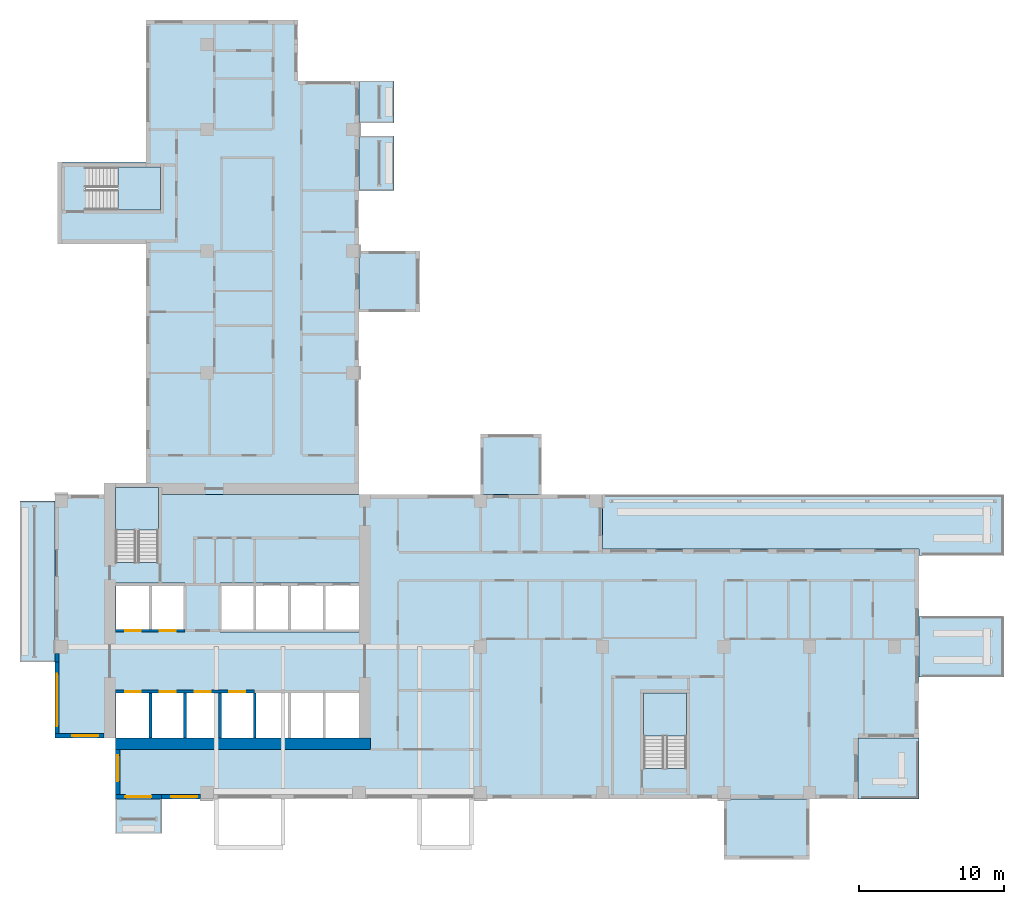
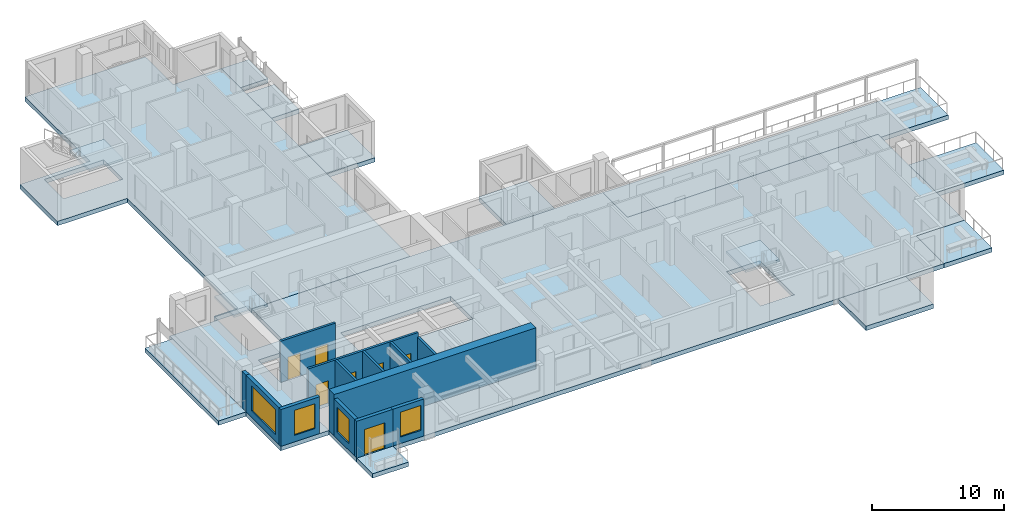
# One storey, part 3 of 15: 15 slabs, 13 walls, 7 doors, 4 windows, 11 openings, 3 elements without a shape of their own.
"""IFC4 building model written with IfcOpenShell, lengths in metres."""

import ifcopenshell
import ifcopenshell.guid

model = None  # the IFC model being written
_history = None  # IfcOwnerHistory: only IFC2X3 demands one
_inside = {}  # id of a spatial element -> (the spatial element, [elements in it])
_under = {}  # id of a project, library or spatial element -> (it, [spatial elements below it])
_declared = {}  # id of a project -> (the project, [libraries it declares])
_typed = {}  # id of a type object -> (the type object, [elements of that type])
_made_of = {}  # id of a material, layer set ... -> (it, [elements and type objects made of it])


def new_model(schema):
    """Start an empty IFC model of exactly this schema.

    Asked for "IFC4X3", IfcOpenShell would pick the latest addendum, in which some entities
    have other attributes; the version numbers below select the first issue.
    IFC2X3 requires an IfcOwnerHistory on every rooted entity: one is made here for all.
    """
    global model, _history
    if schema == "IFC4X3":
        model = ifcopenshell.file(schema_version=(4, 3, 0, 0))
    else:
        model = ifcopenshell.file(schema=schema)
    _inside.clear()
    _under.clear()
    _declared.clear()
    _typed.clear()
    _made_of.clear()
    _history = None
    if model.schema == "IFC2X3":
        org = make("IfcOrganization", Name="unknown")
        user = make(
            "IfcPersonAndOrganization",
            ThePerson=make("IfcPerson", FamilyName="unknown"),
            TheOrganization=org,
        )
        app = make(
            "IfcApplication",
            ApplicationDeveloper=org,
            Version="unknown",
            ApplicationFullName="unknown",
            ApplicationIdentifier="unknown",
        )
        _history = make(
            "IfcOwnerHistory",
            OwningUser=user,
            OwningApplication=app,
            ChangeAction="ADDED",
            CreationDate=0,
        )
    return model


def make(cls, **values):
    """One entity of the class cls with the attributes given. An attribute that is None is left unset."""
    return model.create_entity(
        cls, **{name: value for name, value in values.items() if value is not None}
    )


def rooted(cls, **values):
    """An entity with a GlobalId (a new one), such as an element, a storey or a relation."""
    return make(cls, GlobalId=ifcopenshell.guid.new(), OwnerHistory=_history, **values)


def si_unit(unit_type, name, prefix=None):
    """IfcSIUnit, for example si_unit("LENGTHUNIT", "METRE", prefix="MILLI")."""
    return make("IfcSIUnit", UnitType=unit_type, Prefix=prefix, Name=name)


def assignment(units):
    """IfcUnitAssignment: the units of a project."""
    return None if units is None else make("IfcUnitAssignment", Units=units)


def point(xyz):
    """IfcCartesianPoint."""
    return None if xyz is None else make("IfcCartesianPoint", Coordinates=xyz)


def direction(xyz):
    """IfcDirection."""
    return None if xyz is None else make("IfcDirection", DirectionRatios=xyz)


def frame(location, z_axis=None, x_axis=None):
    """IfcAxis2Placement3D, a coordinate frame: its origin and axes. An axis left out is left unset."""
    return make(
        "IfcAxis2Placement3D",
        Location=point(location),
        Axis=direction(z_axis),
        RefDirection=direction(x_axis),
    )


def frame_2d(location, x_axis=None):
    """IfcAxis2Placement2D, a coordinate frame in the plane: its origin and x axis."""
    return make(
        "IfcAxis2Placement2D", Location=point(location), RefDirection=direction(x_axis)
    )


def origin():
    """The frame at (0, 0, 0) with its axes left unset."""
    return frame((0.0, 0.0, 0.0))


def place(relative_to, where):
    """IfcLocalPlacement: puts the frame where relative to a parent placement (None: the world)."""
    return make(
        "IfcLocalPlacement", PlacementRelTo=relative_to, RelativePlacement=where
    )


def context(
    kind, dimensions, precision=None, world=None, true_north=None, identifier=None
):
    """IfcGeometricRepresentationContext, for example the 3D "Model" context."""
    return make(
        "IfcGeometricRepresentationContext",
        ContextIdentifier=identifier,
        ContextType=kind,
        CoordinateSpaceDimension=dimensions,
        Precision=precision,
        WorldCoordinateSystem=world,
        TrueNorth=true_north,
    )


def subcontext(parent, identifier, kind, view, scale=None):
    """IfcGeometricRepresentationSubContext, for example "Body" below "Model"."""
    return make(
        "IfcGeometricRepresentationSubContext",
        ContextIdentifier=identifier,
        ContextType=kind,
        ParentContext=parent,
        TargetScale=scale,
        TargetView=view,
    )


def project(units=None, contexts=None):
    """IfcProject with its units and contexts."""
    return rooted(
        "IfcProject",
        Name="project",
        RepresentationContexts=contexts,
        UnitsInContext=assignment(units),
    )


def spatial(cls, under=None, at=None, **own):
    """A site, building, storey or space (cls), placed at a placement, below another one or the project."""
    s = rooted(cls, ObjectPlacement=at, **own)
    if under is not None:
        _under.setdefault(under.id(), (under, []))[1].append(s)
    return s


def polyline(points):
    """IfcPolyline through the points."""
    return make("IfcPolyline", Points=[point(p) for p in points])


def profile(cls, at=None, kind="AREA", **sizes):
    """A parametric profile (cls). Its sizes go by their IFC names, for example OverallWidth=200.0."""
    return make(cls, ProfileType=kind, Position=at, **sizes)


def rectangle(**sizes):
    """IfcRectangleProfileDef."""
    return profile("IfcRectangleProfileDef", **sizes)


def outline(outer, holes=None, kind="AREA"):
    """IfcArbitraryClosedProfileDef: a profile drawn as a closed curve; with holes, ...WithVoids."""
    if holes is None:
        return make("IfcArbitraryClosedProfileDef", ProfileType=kind, OuterCurve=outer)
    return make(
        "IfcArbitraryProfileDefWithVoids",
        ProfileType=kind,
        OuterCurve=outer,
        InnerCurves=holes,
    )


def extrude(swept, where, along, depth):
    """IfcExtrudedAreaSolid: the profile swept, set in the frame where, extruded along a direction by depth."""
    return make(
        "IfcExtrudedAreaSolid",
        SweptArea=swept,
        Position=where,
        ExtrudedDirection=direction(along),
        Depth=depth,
    )


def shape(context_of_items, identifier, shape_type, items):
    """IfcShapeRepresentation: the items that make up one representation, for example the "Body"."""
    return make(
        "IfcShapeRepresentation",
        ContextOfItems=context_of_items,
        RepresentationIdentifier=identifier,
        RepresentationType=shape_type,
        Items=items,
    )


def source(mapping_origin, context_of_items, identifier, shape_type, items):
    """IfcRepresentationMap: a shape defined once, which mapped items show again and again."""
    return make(
        "IfcRepresentationMap",
        MappingOrigin=mapping_origin,
        MappedRepresentation=shape(context_of_items, identifier, shape_type, items),
    )


def transform(
    local_origin,
    x_axis=None,
    y_axis=None,
    z_axis=None,
    scale=None,
    scale2=None,
    scale3=None,
    uniform=True,
):
    """IfcCartesianTransformationOperator3D, or its non-uniform kind. x_axis, y_axis, z_axis: its Axis1, 2, 3."""
    if uniform:
        return make(
            "IfcCartesianTransformationOperator3D",
            Axis1=direction(x_axis),
            Axis2=direction(y_axis),
            LocalOrigin=point(local_origin),
            Scale=scale,
            Axis3=direction(z_axis),
        )
    return make(
        "IfcCartesianTransformationOperator3DnonUniform",
        Axis1=direction(x_axis),
        Axis2=direction(y_axis),
        LocalOrigin=point(local_origin),
        Scale=scale,
        Axis3=direction(z_axis),
        Scale2=scale2,
        Scale3=scale3,
    )


def mapped(mapping_source, mapping_target):
    """IfcMappedItem: shows the shape of a source again, moved by a transform."""
    return make(
        "IfcMappedItem", MappingSource=mapping_source, MappingTarget=mapping_target
    )


def material(Name=None, Category=None):
    """IfcMaterial."""
    return make("IfcMaterial", Name=Name, Category=Category)


def layer(
    of_material, thickness, ventilated=None, Name=None, Category=None, Priority=None
):
    """IfcMaterialLayer: one layer of a wall or slab, of a material (None: an air gap)."""
    return make(
        "IfcMaterialLayer",
        Material=of_material,
        LayerThickness=thickness,
        IsVentilated=ventilated,
        Name=Name,
        Category=Category,
        Priority=Priority,
    )


def layer_set(layers, Name=None):
    """IfcMaterialLayerSet."""
    return make("IfcMaterialLayerSet", MaterialLayers=layers, LayerSetName=Name)


def made_of(thing, what):
    """Note that an element or type object is made of a material, layer set ...; save() writes the relation."""
    if what is not None:
        _made_of.setdefault(what.id(), (what, []))[1].append(thing)
    return thing


def type_object(cls, material=None, **own):
    """A type object (cls), such as IfcWallType, which elements share."""
    return made_of(rooted(cls, **own), material)


def element(
    cls,
    number,
    at=None,
    inside=None,
    cuts=None,
    type_object=None,
    material=None,
    context=None,
    identifier="Body",
    shape_type=None,
    held_by="IfcProductDefinitionShape",
    body=None,
    shapes=None,
    **own,
):
    """One element of the class cls, such as IfcWall. Its Tag is "e" and its number.

    at: its placement. inside: the storey or other place that contains it. cuts: it is an
    opening in that element (IfcRelVoidsElement). A single representation is given by context,
    identifier, shape_type and body (its items); several are given by shapes. held_by: the class
    of the entity that holds the representations. save() writes the other relations.
    """
    e = rooted(cls, Tag="e%d" % number, ObjectPlacement=at, **own)
    if body is not None:
        shapes = [shape(context, identifier, shape_type, body)]
    if shapes is not None:
        e.Representation = make(held_by, Representations=shapes)
    if inside is not None:
        _inside.setdefault(inside.id(), (inside, []))[1].append(e)
    if cuts is not None:
        rooted(
            "IfcRelVoidsElement", RelatingBuildingElement=cuts, RelatedOpeningElement=e
        )
    if type_object is not None:
        _typed.setdefault(type_object.id(), (type_object, []))[1].append(e)
    return made_of(e, material)


def fill(opening, filler):
    """IfcRelFillsElement: the door or window that sits in an opening."""
    return rooted(
        "IfcRelFillsElement",
        RelatingOpeningElement=opening,
        RelatedBuildingElement=filler,
    )


def aggregate(whole, parts):
    """IfcRelAggregates: a whole, such as a stair, and the parts it consists of."""
    return rooted("IfcRelAggregates", RelatingObject=whole, RelatedObjects=parts)


def save(model, path):
    """Write the relations noted so far, then the file.

    IfcRelAggregates (storeys below a building ...), IfcRelContainedInSpatialStructure (elements
    in a storey), IfcRelDefinesByType, IfcRelAssociatesMaterial and IfcRelDeclares: one each for
    every whole, place, type object, material and project.
    """
    for whole, parts in _under.values():
        aggregate(whole, parts)
    for where, things in _inside.values():
        rooted(
            "IfcRelContainedInSpatialStructure",
            RelatedElements=things,
            RelatingStructure=where,
        )
    for kind, things in _typed.values():
        rooted("IfcRelDefinesByType", RelatedObjects=things, RelatingType=kind)
    for what, things in _made_of.values():
        rooted("IfcRelAssociatesMaterial", RelatedObjects=things, RelatingMaterial=what)
    for by, libraries in _declared.values():
        rooted("IfcRelDeclares", RelatingContext=by, RelatedDefinitions=libraries)
    model.write(path)


model = new_model("IFC4")

# Units and contexts
model_context = context("Model", 3, precision=1e-05, world=origin(), true_north=direction((0.0, 1.0)))
body_context = subcontext(model_context, "Body", "Model", "MODEL_VIEW")
ifc_project = project(units=[si_unit("LENGTHUNIT", "METRE"), si_unit("AREAUNIT", "SQUARE_METRE"), si_unit("VOLUMEUNIT", "CUBIC_METRE"), si_unit("PLANEANGLEUNIT", "RADIAN"), si_unit("MASSUNIT", "GRAM", prefix="KILO")], contexts=[model_context])

# Site, building, storey
site_placement = place(None, origin())
site = spatial("IfcSite", under=ifc_project, at=site_placement, CompositionType="ELEMENT")
building_placement = place(site_placement, origin())
building = spatial("IfcBuilding", under=site, at=building_placement, Name="Aurelian Terraces", CompositionType="ELEMENT")
storey_placement = place(building_placement, frame((0.0, 0.0, 177.8)))
storey = spatial("IfcBuildingStorey", under=building, at=storey_placement, Name="L38", CompositionType="ELEMENT", Elevation=177.8)

# Slabs
ifc_material_1 = material(Name="Concrete fc' 40 MPa", Category="concrete")
ifc_layer_1 = layer(ifc_material_1, 0.4)
ifc_layer_set_1 = layer_set([ifc_layer_1], Name="Balcony slab 400")
slab_type_1 = type_object("IfcSlabType", Name="Balcony slab 400", PredefinedType="NOTDEFINED", material=ifc_layer_set_1)
slab_1_placement = place(storey_placement, frame((0.0, 0.0, -0.4)))
element("IfcSlab", 1, at=slab_1_placement, inside=storey, type_object=slab_type_1, Name="Balcony slab L38 F01.1", PredefinedType="NOTDEFINED", context=body_context, shape_type="SweptSolid", body=[
    extrude(outline(polyline([(4.2, 0.0), (7.35, 0.0), (7.35, -2.4), (4.2, -2.4), (4.2, 0.0)])), origin(), (0.0, 0.0, 1.0), 0.4),
])
slab_2_placement = place(storey_placement, frame((0.0, 0.0, -0.4)))
element("IfcSlab", 2, at=slab_2_placement, inside=storey, type_object=slab_type_1, Name="Balcony slab L38 F08.21", PredefinedType="NOTDEFINED", context=body_context, shape_type="SweptSolid", body=[
    extrude(outline(polyline([(21.0, 42.0), (21.0, 45.75), (23.4, 45.75), (23.4, 42.0), (21.0, 42.0)])), origin(), (0.0, 0.0, 1.0), 0.4),
])
slab_3_placement = place(storey_placement, frame((0.0, 0.0, -0.4)))
element("IfcSlab", 3, at=slab_3_placement, inside=storey, type_object=slab_type_1, Name="Balcony slab L38 F08.22", PredefinedType="NOTDEFINED", context=body_context, shape_type="SweptSolid", body=[
    extrude(outline(polyline([(21.0, 46.65), (21.0, 49.56), (23.4, 49.56), (23.4, 46.65), (21.0, 46.65)])), origin(), (0.0, 0.0, 1.0), 0.4),
])
slab_4_placement = place(storey_placement, frame((0.0, 0.0, -0.4)))
element("IfcSlab", 4, at=slab_4_placement, inside=storey, type_object=slab_type_1, Name="Balcony slab L38 F20.35", PredefinedType="NOTDEFINED", context=body_context, shape_type="SweptSolid", body=[
    extrude(outline(polyline([(0.0, 20.55), (0.0, 9.45), (-2.4, 9.45), (-2.4, 20.55), (0.0, 20.55)])), origin(), (0.0, 0.0, 1.0), 0.4),
])
ifc_layer_2 = layer(ifc_material_1, 0.41)
ifc_layer_set_2 = layer_set([ifc_layer_2], Name="Box floor 410")
slab_type_2 = type_object("IfcSlabType", Name="Box floor 410", PredefinedType="NOTDEFINED", material=ifc_layer_set_2)
slab_5_placement = place(storey_placement, frame((0.0, 0.0, -0.41)))
element("IfcSlab", 5, at=slab_5_placement, inside=storey, type_object=slab_type_2, Name="Box floor L38 J52", PredefinedType="NOTDEFINED", context=body_context, shape_type="SweptSolid", body=[
    extrude(outline(polyline([(33.6, 25.2), (29.4, 25.2), (29.4, 21.0), (33.6, 21.0), (33.6, 25.2)])), origin(), (0.0, 0.0, 1.0), 0.41),
])
ifc_layer_3 = layer(ifc_material_1, 0.4)
ifc_layer_set_3 = layer_set([ifc_layer_3], Name="PT FLAT PLATE 400")
slab_type_3 = type_object("IfcSlabType", Name="PT FLAT PLATE 400", PredefinedType="FLOOR", material=ifc_layer_set_3)
slab_6_placement = place(storey_placement, frame((0.0, 0.0, -0.4)))
element("IfcSlab", 6, at=slab_6_placement, inside=storey, type_object=slab_type_3, Name="Floor slab S L38", PredefinedType="FLOOR", context=body_context, shape_type="SweptSolid", body=[
    extrude(outline(polyline([(59.64, 4.2), (55.44, 4.2), (55.44, 0.0), (21.0, 0.0), (4.2, 0.0), (4.2, 4.2), (0.0, 4.2), (0.0, 21.0), (4.21, 21.0), (4.21, 16.31), (7.14, 16.31), (7.14, 21.0), (21.0, 21.0), (37.8, 21.0), (37.8, 17.25), (55.44, 17.25), (59.64, 17.25), (59.64, 16.8), (59.64, 16.65), (59.64, 4.2)]), holes=[polyline([(40.66, 2.11), (43.59, 2.11), (43.59, 7.29), (40.66, 7.29), (40.66, 2.11)]), polyline([(4.21, 7.49), (4.21, 4.21), (20.99, 4.21), (20.99, 7.49), (4.21, 7.49)]), polyline([(11.41, 14.89), (11.41, 11.51), (20.99, 11.51), (20.99, 14.89), (11.41, 14.89)]), polyline([(8.99, 11.51), (8.99, 14.89), (4.21, 14.89), (4.21, 11.51), (8.99, 11.51)])]), origin(), (0.0, 0.0, 1.0), 0.4),
])
ifc_layer_4 = layer(ifc_material_1, 0.4001)
ifc_layer_set_4 = layer_set([ifc_layer_4], Name="Terrace slab 400")
slab_type_4 = type_object("IfcSlabType", Name="Terrace slab 400", PredefinedType="NOTDEFINED", material=ifc_layer_set_4)
slab_7_placement = place(storey_placement, frame((0.0, 0.0, -0.4001)))
element("IfcSlab", 7, at=slab_7_placement, inside=storey, type_object=slab_type_4, Name="Setback terrace L38 L38-X1", PredefinedType="NOTDEFINED", context=body_context, shape_type="SweptSolid", body=[
    extrude(outline(polyline([(65.52, 21.0), (65.52, 16.8), (59.64, 16.8), (59.64, 17.25), (55.44, 17.25), (37.8, 17.25), (37.8, 21.0), (65.52, 21.0)])), origin(), (0.0, 0.0, 1.0), 0.4001),
])
slab_8_placement = place(storey_placement, frame((0.0, 0.0, -0.4001)))
element("IfcSlab", 8, at=slab_8_placement, inside=storey, type_object=slab_type_4, Name="Setback terrace L38 L38-X2", PredefinedType="NOTDEFINED", context=body_context, shape_type="SweptSolid", body=[
    extrude(outline(polyline([(65.52, 12.6), (65.52, 8.4), (59.64, 8.4), (59.64, 12.6), (65.52, 12.6)])), origin(), (0.0, 0.0, 1.0), 0.4001),
])
slab_9_placement = place(storey_placement, frame((0.0, 0.0, -0.4001)))
element("IfcSlab", 9, at=slab_9_placement, inside=storey, type_object=slab_type_4, Name="Setback terrace L38 L38-X3", PredefinedType="NOTDEFINED", context=body_context, shape_type="SweptSolid", body=[
    extrude(outline(polyline([(59.64, 0.0), (55.44, 0.0), (55.44, 4.2), (59.64, 4.2), (59.64, 0.0)])), origin(), (0.0, 0.0, 1.0), 0.4001),
])
shared_shape_1 = source(origin(), body_context, "Body", "SweptSolid", [
    extrude(outline(polyline([(0.2, 43.95), (6.3, 43.95), (6.3, 49.56), (6.3, 53.76), (10.5, 53.76), (16.8, 53.76), (16.8, 49.56), (21.0, 49.56), (21.0, 21.0), (7.14, 21.0), (7.14, 21.49), (4.21, 21.49), (4.21, 21.0), (4.2, 21.0), (4.2, 21.6), (6.3, 21.6), (6.3, 38.3), (0.2, 38.3), (0.2, 43.95)]), holes=[polyline([(7.29, 43.59), (2.11, 43.59), (2.11, 40.66), (7.29, 40.66), (7.29, 43.59)])]), origin(), (0.0, 0.0, 1.0), 0.4),
])
slab_10_placement = place(storey_placement, frame((0.0, 0.0, -0.4)))
element("IfcSlab", 10, at=slab_10_placement, inside=storey, type_object=slab_type_3, Name="Floor slab W L38", PredefinedType="FLOOR", context=body_context, shape_type="MappedRepresentation", body=[
    mapped(shared_shape_1, transform((0.0, 0.0, 0.0), scale=1.0)),
])
shared_shape_2 = source(origin(), body_context, "Body", "SweptSolid", [
    extrude(outline(polyline([(46.2, -4.2), (52.08, -4.2), (52.08, 0.0), (46.2, 0.0), (46.2, -4.2)])), origin(), (0.0, 0.0, 1.0), 0.41),
])
slab_11_placement = place(storey_placement, frame((0.0, 0.0, -0.41)))
element("IfcSlab", 11, at=slab_11_placement, inside=storey, type_object=slab_type_2, Name="Box floor L38 J51", PredefinedType="NOTDEFINED", context=body_context, shape_type="MappedRepresentation", body=[
    mapped(shared_shape_2, transform((0.0, 0.0, 0.0), scale=1.0)),
])
shared_shape_3 = source(origin(), body_context, "Body", "SweptSolid", [
    extrude(outline(polyline([(25.2, 33.6), (25.2, 37.8), (21.0, 37.8), (21.0, 33.6), (25.2, 33.6)])), origin(), (0.0, 0.0, 1.0), 0.41),
])
slab_12_placement = place(storey_placement, frame((0.0, 0.0, -0.41)))
element("IfcSlab", 12, at=slab_12_placement, inside=storey, type_object=slab_type_2, Name="Box floor L38 J53", PredefinedType="NOTDEFINED", context=body_context, shape_type="MappedRepresentation", body=[
    mapped(shared_shape_3, transform((0.0, 0.0, 0.0), scale=1.0)),
])

# Stair, slab
stair_type = type_object("IfcStairType", Name="Stair 1400", PredefinedType="HALF_TURN_STAIR", material=ifc_material_1)
stair_1_placement = place(storey_placement, origin())
stair_1 = element("IfcStair", 13, at=stair_1_placement, inside=storey, type_object=stair_type, Name="L38 S1", PredefinedType="HALF_TURN_STAIR")
ifc_layer_5 = layer(ifc_material_1, 0.2)
ifc_layer_set_5 = layer_set([ifc_layer_5], Name="Stair landing 200")
slab_type_5 = type_object("IfcSlabType", Name="Stair landing 200", PredefinedType="LANDING", material=ifc_layer_set_5)
shared_shape_4 = source(origin(), body_context, "Body", "SweptSolid", [
    extrude(outline(polyline([(7.15, 18.55), (7.15, 21.5), (4.2, 21.5), (4.2, 18.55), (7.15, 18.55)])), origin(), (0.0, 0.0, 1.0), 0.2),
])
slab_13_placement = place(storey_placement, frame((0.0, 0.0, 1.7)))
slab_13 = element("IfcSlab", 14, at=slab_13_placement, type_object=slab_type_5, Name="S1 landing 1", PredefinedType="LANDING", context=body_context, shape_type="MappedRepresentation", body=[
    mapped(shared_shape_4, transform((0.0, 0.0, 0.0), scale=1.0)),
])
aggregate(stair_1, [slab_13])

stair_2_placement = place(storey_placement, origin())
stair_2 = element("IfcStair", 15, at=stair_2_placement, inside=storey, type_object=stair_type, Name="L38 S2", PredefinedType="HALF_TURN_STAIR")
shared_shape_5 = source(origin(), body_context, "Body", "SweptSolid", [
    extrude(outline(polyline([(43.6, 4.35), (43.6, 7.3), (40.65, 7.3), (40.65, 4.35), (43.6, 4.35)])), origin(), (0.0, 0.0, 1.0), 0.2),
])
slab_14_placement = place(storey_placement, frame((0.0, 0.0, 1.7)))
slab_14 = element("IfcSlab", 16, at=slab_14_placement, type_object=slab_type_5, Name="S2 landing 1", PredefinedType="LANDING", context=body_context, shape_type="MappedRepresentation", body=[
    mapped(shared_shape_5, transform((0.0, 0.0, 0.0), scale=1.0)),
])
aggregate(stair_2, [slab_14])

stair_3_placement = place(storey_placement, origin())
stair_3 = element("IfcStair", 17, at=stair_3_placement, inside=storey, type_object=stair_type, Name="L38 S3", PredefinedType="HALF_TURN_STAIR")
shared_shape_6 = source(origin(), body_context, "Body", "SweptSolid", [
    extrude(outline(polyline([(4.35, 40.65), (7.3, 40.65), (7.3, 43.6), (4.35, 43.6), (4.35, 40.65)])), origin(), (0.0, 0.0, 1.0), 0.2),
])
slab_15_placement = place(storey_placement, frame((0.0, 0.0, 1.7)))
slab_15 = element("IfcSlab", 18, at=slab_15_placement, type_object=slab_type_5, Name="S3 landing 1", PredefinedType="LANDING", context=body_context, shape_type="MappedRepresentation", body=[
    mapped(shared_shape_6, transform((0.0, 0.0, 0.0), scale=1.0)),
])
aggregate(stair_3, [slab_15])

# Wall, opening, door
ifc_material_2 = material(Name="Terracotta rainscreen cladding", Category="masonry")
ifc_layer_6 = layer(ifc_material_2, 0.3)
ifc_layer_set_6 = layer_set([ifc_layer_6], Name="EW-300")
wall_type_1 = type_object("IfcWallType", Name="EW-300", PredefinedType="STANDARD", material=ifc_layer_set_6)
wall_1_placement = place(storey_placement, frame((4.2, 0.15, 0.0), z_axis=(0.0, 0.0, 1.0), x_axis=(1.0, 0.0, 0.0)))
wall_1 = element("IfcWall", 19, at=wall_1_placement, inside=storey, type_object=wall_type_1, Name="External wall L38 F01.1", PredefinedType="STANDARD", context=body_context, shape_type="SweptSolid", body=[
    extrude(rectangle(XDim=3.15, YDim=0.3, at=frame_2d((1.575, 0.0))), origin(), (0.0, 0.0, 1.0), 3.4),
])
shared_shape_7 = source(origin(), body_context, "Body", "SweptSolid", [
    extrude(rectangle(XDim=1.8, YDim=2.4, at=frame_2d((0.9, 1.2))), frame((0.0, 0.16, 0.0), z_axis=(0.0, -1.0, 0.0), x_axis=(1.0, 0.0, 0.0)), (0.0, 0.0, 1.0), 0.32),
])
opening_1_placement = place(wall_1_placement, frame((0.675, 0.0, 0.0)))
opening_1 = element("IfcOpeningElement", 20, at=opening_1_placement, cuts=wall_1, Name="Opening 83801", PredefinedType="OPENING", context=body_context, shape_type="MappedRepresentation", body=[
    mapped(shared_shape_7, transform((0.0, 0.0, 0.0), scale=1.0)),
])
ifc_material_3 = material(Name="Clear glazing", Category="glass")
door_type_1 = type_object("IfcDoorType", Name="BD-1800x2400", OperationType="SLIDING_TO_LEFT", PredefinedType="DOOR", material=ifc_material_3)
shared_shape_8 = source(origin(), body_context, "Body", "SweptSolid", [
    extrude(rectangle(XDim=1.8, YDim=2.4, at=frame_2d((0.9, 1.2))), frame((0.0, 0.025, 0.0), z_axis=(0.0, -1.0, 0.0), x_axis=(1.0, 0.0, 0.0)), (0.0, 0.0, 1.0), 0.05),
])
door_1_placement = place(opening_1_placement, origin())
door_1 = element("IfcDoor", 21, at=door_1_placement, inside=storey, type_object=door_type_1, Name="Balcony door L38 F01.1", OperationType="SLIDING_TO_LEFT", OverallHeight=2.4, OverallWidth=1.8, PredefinedType="DOOR", context=body_context, shape_type="MappedRepresentation", body=[
    mapped(shared_shape_8, transform((0.0, 0.0, 0.0), scale=1.0)),
])
fill(opening_1, door_1)

# Wall, opening, window
wall_2_placement = place(storey_placement, frame((7.35, 0.15, 0.0), z_axis=(0.0, 0.0, 1.0), x_axis=(1.0, 0.0, 0.0)))
wall_2 = element("IfcWall", 22, at=wall_2_placement, inside=storey, type_object=wall_type_1, Name="External wall L38 F01.2", PredefinedType="STANDARD", context=body_context, shape_type="SweptSolid", body=[
    extrude(rectangle(XDim=2.7, YDim=0.3, at=frame_2d((1.35, 0.0))), origin(), (0.0, 0.0, 1.0), 3.4),
])
opening_2_placement = place(wall_2_placement, frame((0.675, 0.0, 0.6)))
opening_2 = element("IfcOpeningElement", 23, at=opening_2_placement, cuts=wall_2, Name="Opening W1823", PredefinedType="OPENING", context=body_context, shape_type="SweptSolid", body=[
    extrude(rectangle(XDim=1.8, YDim=2.3, at=frame_2d((0.9, 1.15))), frame((0.0, 0.16, 0.0), z_axis=(0.0, -1.0, 0.0), x_axis=(1.0, 0.0, 0.0)), (0.0, 0.0, 1.0), 0.32),
])
window_type_1 = type_object("IfcWindowType", Name="W-1800x2300", PartitioningType="SINGLE_PANEL", PredefinedType="WINDOW", material=ifc_material_3)
window_1_placement = place(opening_2_placement, origin())
window_1 = element("IfcWindow", 24, at=window_1_placement, inside=storey, type_object=window_type_1, Name="Window L38 L38-F01-02-0", OverallHeight=2.3, OverallWidth=1.8, PartitioningType="SINGLE_PANEL", PredefinedType="WINDOW", context=body_context, shape_type="SweptSolid", body=[
    extrude(rectangle(XDim=1.8, YDim=2.3, at=frame_2d((0.9, 1.15))), frame((0.0, 0.03, 0.0), z_axis=(0.0, -1.0, 0.0), x_axis=(1.0, 0.0, 0.0)), (0.0, 0.0, 1.0), 0.06),
])
fill(opening_2, window_1)

# Wall
wall_3_placement = place(storey_placement, frame((0.15, 10.05, 0.0), z_axis=(0.0, 0.0, 1.0), x_axis=(0.0, -1.0, 0.0)))
element("IfcWall", 25, at=wall_3_placement, inside=storey, type_object=wall_type_1, Name="External wall L38 F20.35", PredefinedType="STANDARD", context=body_context, shape_type="SweptSolid", body=[
    extrude(rectangle(XDim=0.6, YDim=0.3, at=frame_2d((0.3, 0.0))), origin(), (0.0, 0.0, 1.0), 3.4),
])

# Wall, opening, window
wall_4_placement = place(storey_placement, frame((0.15, 9.45, 0.0), z_axis=(0.0, 0.0, 1.0), x_axis=(0.0, -1.0, 0.0)))
wall_4 = element("IfcWall", 26, at=wall_4_placement, inside=storey, type_object=wall_type_1, Name="External wall L38 F20.36", PredefinedType="STANDARD", context=body_context, shape_type="SweptSolid", body=[
    extrude(rectangle(XDim=5.25, YDim=0.3, at=frame_2d((2.625, 0.0))), origin(), (0.0, 0.0, 1.0), 3.4),
])
shared_shape_9 = source(origin(), body_context, "Body", "SweptSolid", [
    extrude(rectangle(XDim=3.6, YDim=2.3, at=frame_2d((1.8, 1.15))), frame((0.0, 0.16, 0.0), z_axis=(0.0, -1.0, 0.0), x_axis=(1.0, 0.0, 0.0)), (0.0, 0.0, 1.0), 0.32),
])
opening_3_placement = place(wall_4_placement, frame((0.825, 0.0, 0.6)))
opening_3 = element("IfcOpeningElement", 27, at=opening_3_placement, cuts=wall_4, Name="Opening W3623", PredefinedType="OPENING", context=body_context, shape_type="MappedRepresentation", body=[
    mapped(shared_shape_9, transform((0.0, 0.0, 0.0), scale=1.0)),
])
window_type_2 = type_object("IfcWindowType", Name="W-3600x2300", PartitioningType="SINGLE_PANEL", PredefinedType="WINDOW", material=ifc_material_3)
shared_shape_10 = source(origin(), body_context, "Body", "SweptSolid", [
    extrude(rectangle(XDim=3.6, YDim=2.3, at=frame_2d((1.8, 1.15))), frame((0.0, 0.03, 0.0), z_axis=(0.0, -1.0, 0.0), x_axis=(1.0, 0.0, 0.0)), (0.0, 0.0, 1.0), 0.06),
])
window_2_placement = place(opening_3_placement, origin())
window_2 = element("IfcWindow", 28, at=window_2_placement, inside=storey, type_object=window_type_2, Name="Window L38 L38-F20-36-0", OverallHeight=2.3, OverallWidth=3.6, PartitioningType="SINGLE_PANEL", PredefinedType="WINDOW", context=body_context, shape_type="MappedRepresentation", body=[
    mapped(shared_shape_10, transform((0.0, 0.0, 0.0), scale=1.0)),
])
fill(opening_3, window_2)

wall_5_placement = place(storey_placement, frame((0.0, 4.35, 0.0), z_axis=(0.0, 0.0, 1.0), x_axis=(1.0, 0.0, 0.0)))
wall_5 = element("IfcWall", 29, at=wall_5_placement, inside=storey, type_object=wall_type_1, Name="External wall L38 F21.37", PredefinedType="STANDARD", context=body_context, shape_type="SweptSolid", body=[
    extrude(rectangle(XDim=3.4, YDim=0.3, at=frame_2d((1.7, 0.0))), origin(), (0.0, 0.0, 1.0), 3.4),
])
shared_shape_11 = source(origin(), body_context, "Body", "SweptSolid", [
    extrude(rectangle(XDim=1.8, YDim=2.3, at=frame_2d((0.9, 1.15))), frame((0.0, 0.16, 0.0), z_axis=(0.0, -1.0, 0.0), x_axis=(1.0, 0.0, 0.0)), (0.0, 0.0, 1.0), 0.32),
])
opening_4_placement = place(wall_5_placement, frame((1.2, 0.0, 0.6)))
opening_4 = element("IfcOpeningElement", 30, at=opening_4_placement, cuts=wall_5, Name="Opening W1823", PredefinedType="OPENING", context=body_context, shape_type="MappedRepresentation", body=[
    mapped(shared_shape_11, transform((0.0, 0.0, 0.0), scale=1.0)),
])
shared_shape_12 = source(origin(), body_context, "Body", "SweptSolid", [
    extrude(rectangle(XDim=1.8, YDim=2.3, at=frame_2d((0.9, 1.15))), frame((0.0, 0.03, 0.0), z_axis=(0.0, -1.0, 0.0), x_axis=(1.0, 0.0, 0.0)), (0.0, 0.0, 1.0), 0.06),
])
window_3_placement = place(opening_4_placement, origin())
window_3 = element("IfcWindow", 31, at=window_3_placement, inside=storey, type_object=window_type_1, Name="Window L38 L38-F21-37-0", OverallHeight=2.3, OverallWidth=1.8, PartitioningType="SINGLE_PANEL", PredefinedType="WINDOW", context=body_context, shape_type="MappedRepresentation", body=[
    mapped(shared_shape_12, transform((0.0, 0.0, 0.0), scale=1.0)),
])
fill(opening_4, window_3)

# Walls
ifc_layer_7 = layer(ifc_material_1, 0.2)
ifc_layer_set_7 = layer_set([ifc_layer_7], Name="Lift shaft wall 200")
wall_type_2 = type_object("IfcWallType", Name="Lift shaft wall 200", PredefinedType="SOLIDWALL", material=ifc_layer_set_7)
wall_6_placement = place(storey_placement, frame((6.6, 4.2, 0.0), z_axis=(0.0, 0.0, 1.0), x_axis=(0.0, 1.0, 0.0)))
element("IfcWall", 32, at=wall_6_placement, inside=storey, type_object=wall_type_2, Name="L38 core wall CD-A1", PredefinedType="SOLIDWALL", context=body_context, shape_type="SweptSolid", body=[
    extrude(rectangle(XDim=3.1, YDim=0.2, at=frame_2d((1.55, 0.0))), origin(), (0.0, 0.0, 1.0), 3.8),
])
wall_7_placement = place(storey_placement, frame((13.8, 4.2, 0.0), z_axis=(0.0, 0.0, 1.0), x_axis=(0.0, 1.0, 0.0)))
element("IfcWall", 33, at=wall_7_placement, inside=storey, type_object=wall_type_2, Name="L38 core wall CD-A4", PredefinedType="SOLIDWALL", context=body_context, shape_type="SweptSolid", body=[
    extrude(rectangle(XDim=3.1, YDim=0.2, at=frame_2d((1.55, 0.0))), origin(), (0.0, 0.0, 1.0), 3.4),
])

# Wall, openings, doors
wall_8_placement = place(storey_placement, frame((4.2, 7.4, 0.0), z_axis=(0.0, 0.0, 1.0), x_axis=(1.0, 0.0, 0.0)))
wall_8 = element("IfcWall", 34, at=wall_8_placement, inside=storey, type_object=wall_type_2, Name="L38 core wall CF-AF1", PredefinedType="SOLIDWALL", context=body_context, shape_type="SweptSolid", body=[
    extrude(rectangle(XDim=9.6, YDim=0.2, at=frame_2d((4.8, 0.0))), origin(), (0.0, 0.0, 1.0), 3.8),
])
shared_shape_13 = source(origin(), body_context, "Body", "SweptSolid", [
    extrude(rectangle(XDim=1.1, YDim=2.1, at=frame_2d((0.55, 1.05))), frame((0.0, 0.11, 0.0), z_axis=(0.0, -1.0, 0.0), x_axis=(1.0, 0.0, 0.0)), (0.0, 0.0, 1.0), 0.22),
])
opening_5_placement = place(wall_8_placement, frame((0.65, 0.0, 0.0)))
opening_5 = element("IfcOpeningElement", 35, at=opening_5_placement, cuts=wall_8, Name="Opening 64100", PredefinedType="OPENING", context=body_context, shape_type="MappedRepresentation", body=[
    mapped(shared_shape_13, transform((0.0, 0.0, 0.0), scale=1.0)),
])
opening_6_placement = place(wall_8_placement, frame((3.05, 0.0, 0.0)))
opening_6 = element("IfcOpeningElement", 36, at=opening_6_placement, cuts=wall_8, Name="Opening 64101", PredefinedType="OPENING", context=body_context, shape_type="MappedRepresentation", body=[
    mapped(shared_shape_13, transform((0.0, 0.0, 0.0), scale=1.0)),
])
opening_7_placement = place(wall_8_placement, frame((5.45, 0.0, 0.0)))
opening_7 = element("IfcOpeningElement", 37, at=opening_7_placement, cuts=wall_8, Name="Opening 64102", PredefinedType="OPENING", context=body_context, shape_type="MappedRepresentation", body=[
    mapped(shared_shape_13, transform((0.0, 0.0, 0.0), scale=1.0)),
])
opening_8_placement = place(wall_8_placement, frame((7.85, 0.0, 0.0)))
opening_8 = element("IfcOpeningElement", 38, at=opening_8_placement, cuts=wall_8, Name="Opening 64103", PredefinedType="OPENING", context=body_context, shape_type="MappedRepresentation", body=[
    mapped(shared_shape_13, transform((0.0, 0.0, 0.0), scale=1.0)),
])
ifc_material_4 = material(Name="Stainless steel", Category="steel")
door_type_2 = type_object("IfcDoorType", Name="Lift landing door 1100x2100", OperationType="SLIDING_TO_LEFT", PredefinedType="DOOR", material=ifc_material_4)
shared_shape_14 = source(origin(), body_context, "Body", "SweptSolid", [
    extrude(rectangle(XDim=1.1, YDim=2.1, at=frame_2d((0.55, 1.05))), frame((0.0, 0.025, 0.0), z_axis=(0.0, -1.0, 0.0), x_axis=(1.0, 0.0, 0.0)), (0.0, 0.0, 1.0), 0.05),
])
door_2_placement = place(opening_5_placement, origin())
door_2 = element("IfcDoor", 39, at=door_2_placement, inside=storey, type_object=door_type_2, Name="Lift landing door LM1 L38", OperationType="SLIDING_TO_LEFT", OverallHeight=2.1, OverallWidth=1.1, PredefinedType="DOOR", context=body_context, shape_type="MappedRepresentation", body=[
    mapped(shared_shape_14, transform((0.0, 0.0, 0.0), scale=1.0)),
])
fill(opening_5, door_2)
door_3_placement = place(opening_6_placement, origin())
door_3 = element("IfcDoor", 40, at=door_3_placement, inside=storey, type_object=door_type_2, Name="Lift landing door LM2 L38", OperationType="SLIDING_TO_LEFT", OverallHeight=2.1, OverallWidth=1.1, PredefinedType="DOOR", context=body_context, shape_type="MappedRepresentation", body=[
    mapped(shared_shape_14, transform((0.0, 0.0, 0.0), scale=1.0)),
])
fill(opening_6, door_3)
door_4_placement = place(opening_7_placement, origin())
door_4 = element("IfcDoor", 41, at=door_4_placement, inside=storey, type_object=door_type_2, Name="Lift landing door LM3 L38", OperationType="SLIDING_TO_LEFT", OverallHeight=2.1, OverallWidth=1.1, PredefinedType="DOOR", context=body_context, shape_type="MappedRepresentation", body=[
    mapped(shared_shape_14, transform((0.0, 0.0, 0.0), scale=1.0)),
])
fill(opening_7, door_4)
door_5_placement = place(opening_8_placement, origin())
door_5 = element("IfcDoor", 42, at=door_5_placement, inside=storey, type_object=door_type_2, Name="Lift landing door LM4 L38", OperationType="SLIDING_TO_LEFT", OverallHeight=2.1, OverallWidth=1.1, PredefinedType="DOOR", context=body_context, shape_type="MappedRepresentation", body=[
    mapped(shared_shape_14, transform((0.0, 0.0, 0.0), scale=1.0)),
])
fill(opening_8, door_5)

wall_9_placement = place(storey_placement, frame((4.2, 11.6, 0.0), z_axis=(0.0, 0.0, 1.0), x_axis=(1.0, 0.0, 0.0)))
wall_9 = element("IfcWall", 43, at=wall_9_placement, inside=storey, type_object=wall_type_2, Name="L38 core wall CF-BF1", PredefinedType="SOLIDWALL", context=body_context, shape_type="SweptSolid", body=[
    extrude(rectangle(XDim=4.8, YDim=0.2, at=frame_2d((2.4, 0.0))), origin(), (0.0, 0.0, 1.0), 3.8),
])
opening_9_placement = place(wall_9_placement, frame((0.65, 0.0, 0.0)))
opening_9 = element("IfcOpeningElement", 44, at=opening_9_placement, cuts=wall_9, Name="Opening 64104", PredefinedType="OPENING", context=body_context, shape_type="MappedRepresentation", body=[
    mapped(shared_shape_13, transform((0.0, 0.0, 0.0), scale=1.0)),
])
opening_10_placement = place(wall_9_placement, frame((3.05, 0.0, 0.0)))
opening_10 = element("IfcOpeningElement", 45, at=opening_10_placement, cuts=wall_9, Name="Opening 64105", PredefinedType="OPENING", context=body_context, shape_type="MappedRepresentation", body=[
    mapped(shared_shape_13, transform((0.0, 0.0, 0.0), scale=1.0)),
])
door_6_placement = place(opening_9_placement, origin())
door_6 = element("IfcDoor", 46, at=door_6_placement, inside=storey, type_object=door_type_2, Name="Lift landing door LM5 L38", OperationType="SLIDING_TO_LEFT", OverallHeight=2.1, OverallWidth=1.1, PredefinedType="DOOR", context=body_context, shape_type="MappedRepresentation", body=[
    mapped(shared_shape_14, transform((0.0, 0.0, 0.0), scale=1.0)),
])
fill(opening_9, door_6)
door_7_placement = place(opening_10_placement, origin())
door_7 = element("IfcDoor", 47, at=door_7_placement, inside=storey, type_object=door_type_2, Name="Lift landing door LM6 L38", OperationType="SLIDING_TO_LEFT", OverallHeight=2.1, OverallWidth=1.1, PredefinedType="DOOR", context=body_context, shape_type="MappedRepresentation", body=[
    mapped(shared_shape_14, transform((0.0, 0.0, 0.0), scale=1.0)),
])
fill(opening_10, door_7)

# Wall
ifc_material_5 = material(Name="Concrete fc' 70 MPa", Category="concrete")
ifc_layer_8 = layer(ifc_material_5, 0.8)
ifc_layer_set_8 = layer_set([ifc_layer_8], Name="CORE WALL 800 FC70")
wall_type_3 = type_object("IfcWallType", Name="CORE WALL 800 FC70", PredefinedType="SHEAR", material=ifc_layer_set_8)
shared_shape_15 = source(origin(), body_context, "Body", "SweptSolid", [
    extrude(rectangle(XDim=17.6, YDim=0.8, at=frame_2d((8.8, 0.0))), origin(), (0.0, 0.0, 1.0), 3.8),
])
wall_10_placement = place(storey_placement, frame((4.2, 3.8, 0.0), z_axis=(0.0, 0.0, 1.0), x_axis=(1.0, 0.0, 0.0)))
element("IfcWall", 48, at=wall_10_placement, inside=storey, type_object=wall_type_3, Name="Core wall S L38", PredefinedType="SHEAR", context=body_context, shape_type="MappedRepresentation", body=[
    mapped(shared_shape_15, transform((0.0, 0.0, 0.0), scale=1.0)),
])

# Wall, opening, window
shared_shape_16 = source(origin(), body_context, "Body", "SweptSolid", [
    extrude(rectangle(XDim=3.4, YDim=0.3, at=frame_2d((1.7, 0.0))), origin(), (0.0, 0.0, 1.0), 3.4),
])
wall_11_placement = place(storey_placement, frame((4.35, 3.4, 0.0), z_axis=(0.0, 0.0, 1.0), x_axis=(0.0, -1.0, 0.0)))
wall_11 = element("IfcWall", 49, at=wall_11_placement, inside=storey, type_object=wall_type_1, Name="External wall L38 F22.38", PredefinedType="STANDARD", context=body_context, shape_type="MappedRepresentation", body=[
    mapped(shared_shape_16, transform((0.0, 0.0, 0.0), scale=1.0)),
])
opening_11_placement = place(wall_11_placement, frame((0.4, 0.0, 0.6)))
opening_11 = element("IfcOpeningElement", 50, at=opening_11_placement, cuts=wall_11, Name="Opening W1823", PredefinedType="OPENING", context=body_context, shape_type="MappedRepresentation", body=[
    mapped(shared_shape_11, transform((0.0, 0.0, 0.0), scale=1.0)),
])
window_4_placement = place(opening_11_placement, origin())
window_4 = element("IfcWindow", 51, at=window_4_placement, inside=storey, type_object=window_type_1, Name="Window L38 L38-F22-38-0", OverallHeight=2.3, OverallWidth=1.8, PartitioningType="SINGLE_PANEL", PredefinedType="WINDOW", context=body_context, shape_type="MappedRepresentation", body=[
    mapped(shared_shape_12, transform((0.0, 0.0, 0.0), scale=1.0)),
])
fill(opening_11, window_4)

# Walls
shared_shape_17 = source(origin(), body_context, "Body", "SweptSolid", [
    extrude(rectangle(XDim=3.1, YDim=0.2, at=frame_2d((1.55, 0.0))), origin(), (0.0, 0.0, 1.0), 3.8),
])
for number, where, z_axis, x_axis, name in (
    (52, (9.0, 4.2, 0.0), (0.0, 0.0, 1.0), (0.0, 1.0, 0.0), "L38 core wall CD-A2"),
    (53, (11.4, 4.2, 0.0), (0.0, 0.0, 1.0), (0.0, 1.0, 0.0), "L38 core wall CD-A3"),
):
    element("IfcWall", number, at=place(storey_placement, frame(where, z_axis=z_axis, x_axis=x_axis)), inside=storey, type_object=wall_type_2, Name=name, PredefinedType="SOLIDWALL", context=body_context, shape_type="MappedRepresentation", body=[
        mapped(shared_shape_17, transform((0.0, 0.0, 0.0), scale=1.0)),
    ])

save(model, "model.ifc")
